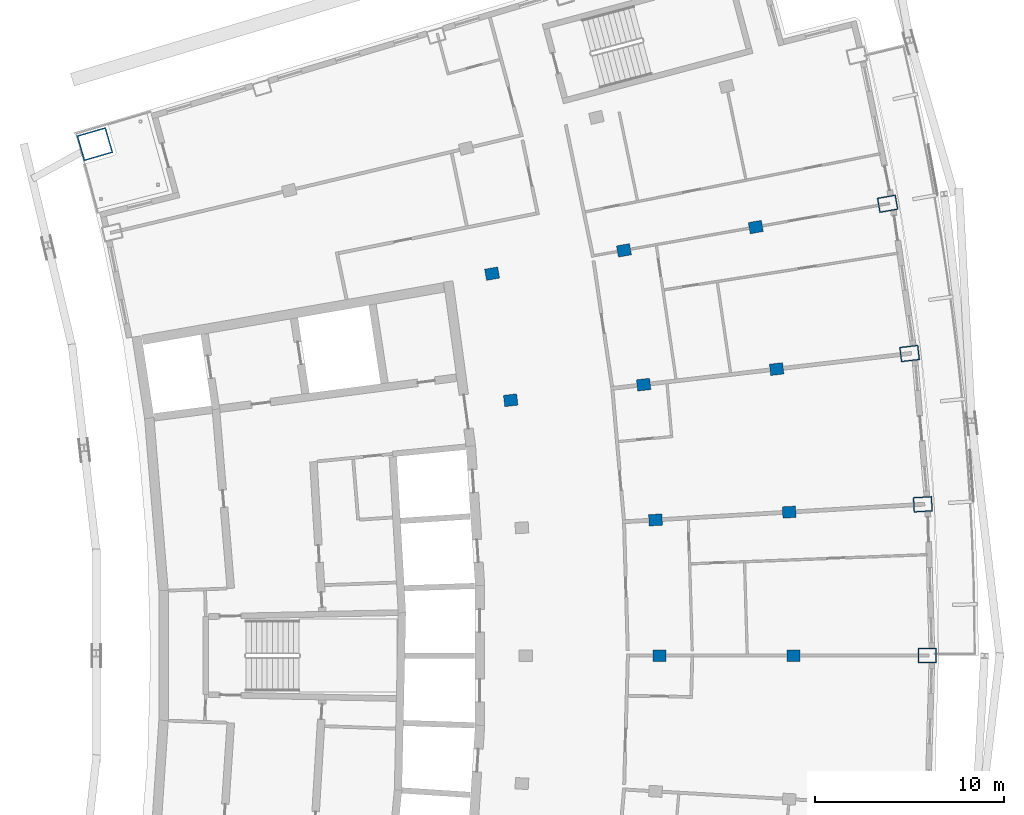
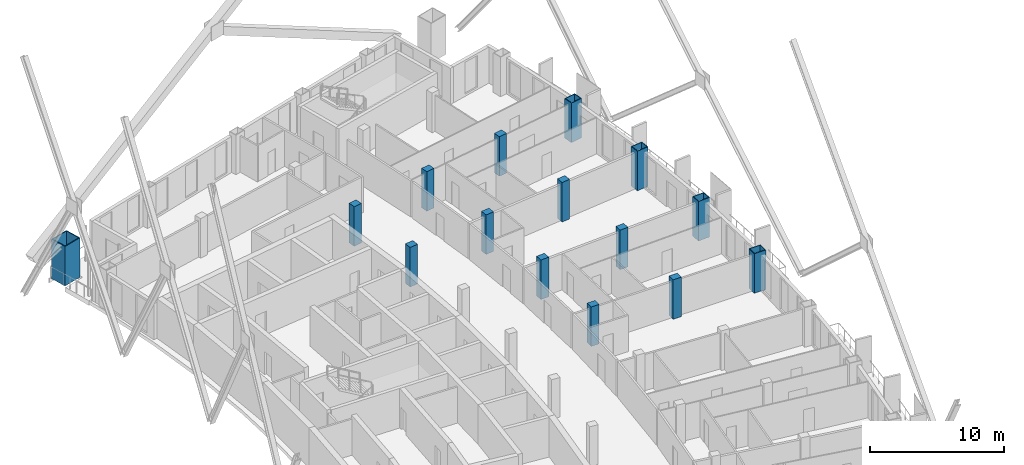
# One storey, part 4 of 16: 15 columns.
"""IFC4 building model written with IfcOpenShell, lengths in metres."""

from ifc_helpers import new_model, si_unit, direction, frame, origin, origin_2d, place, context, subcontext, project, spatial, rectangle, hollow_rectangle, extrude, material, material_profile, profile_set, type_object, element, save


model = new_model("IFC4")

# Units and contexts
model_context = context("Model", 3, precision=1e-05, world=origin(), true_north=direction((0.0, 1.0)))
body_context = subcontext(model_context, "Body", "Model", "MODEL_VIEW")
ifc_project = project(units=[si_unit("LENGTHUNIT", "METRE"), si_unit("AREAUNIT", "SQUARE_METRE"), si_unit("VOLUMEUNIT", "CUBIC_METRE"), si_unit("PLANEANGLEUNIT", "RADIAN"), si_unit("MASSUNIT", "GRAM", prefix="KILO")], contexts=[model_context])

# Site, building, storey
site_placement = place(None, origin())
site = spatial("IfcSite", under=ifc_project, at=site_placement, CompositionType="ELEMENT")
building_placement = place(site_placement, origin())
building = spatial("IfcBuilding", under=site, at=building_placement, Name="Alderwake Tower", CompositionType="ELEMENT")
storey_placement = place(building_placement, frame((0.0, 0.0, 245.60009765625)))
storey = spatial("IfcBuildingStorey", under=building, at=storey_placement, Name="L60", CompositionType="ELEMENT", Elevation=245.60009765625)

# Columns
ifc_material_1 = material(Name="Concrete C70/85", Category="concrete")
ifc_material_profile_1 = material_profile(ifc_material_1, rectangle(XDim=0.60009765625, YDim=0.699951171875, at=origin_2d()), Name="RC 700X600")
ifc_profile_set_1 = profile_set([ifc_material_profile_1], Name="Concrete C70/85")
column_type_1 = type_object("IfcColumnType", Name="Interior column Z5", PredefinedType="COLUMN", material=ifc_profile_set_1)
for number, where, z_axis, x_axis, name in (
    (1, (42.86669921875, 61.0, 0.0), (0.0, 0.0, 1.0), (0.0, 1.0, 0.0), "Column R07-C3"),
    (2, (49.933349609375, 61.0, 0.0), (0.0, 0.0, 1.0), (0.0, 1.0, 0.0), "Column R07-C4"),
    (3, (42.65771484375, 68.1630859375, 0.0), (0.0, 0.0, 1.0), (-0.058301061284, 0.998299046505, 0.0), "Column R08-C3"),
    (4, (49.71240234375, 68.5751953125, 0.0), (0.0, 0.0, 1.0), (-0.058299318924, 0.998299148258, 0.0), "Column R08-C4"),
    (5, (35.0126953125, 74.4794921875, 0.0), (0.0, 0.0, 1.0), (-0.116402054316, 0.993202175668, 0.0), "Column R09-C2"),
    (6, (42.031494140625, 75.302001953125, 0.0), (0.0, 0.0, 1.0), (-0.116402054316, 0.993202175668, 0.0), "Column R09-C3"),
    (7, (49.050048828125, 76.12451171875, 0.0), (0.0, 0.0, 1.0), (-0.116402054316, 0.993202175668, 0.0), "Column R09-C4"),
    (8, (34.03125, 81.16162109375, 0.0), (0.0, 0.0, 1.0), (-0.174108800747, 0.984726421654, 0.0), "Column R10-C2"),
    (9, (40.989990234375, 82.39208984375, 0.0), (0.0, 0.0, 1.0), (-0.174108800747, 0.984726421654, 0.0), "Column R10-C3"),
    (10, (47.94873046875, 83.622314453125, 0.0), (0.0, 0.0, 1.0), (-0.174107082075, 0.984726725529, 0.0), "Column R10-C4"),
):
    element("IfcColumn", number, at=place(storey_placement, frame(where, z_axis=z_axis, x_axis=x_axis)), inside=storey, type_object=column_type_1, Name=name, PredefinedType="COLUMN", context=body_context, shape_type="SweptSolid", body=[
        extrude(rectangle(XDim=0.60009765625, YDim=0.699951171875, at=origin_2d()), origin(), (0.0, 0.0, 1.0), 3.599853515625),
    ])
ifc_material_2 = material(Name="Steel ASTM A572 Grade 50 concrete filled C70/85", Category="concrete")
ifc_material_profile_2 = material_profile(ifc_material_2, hollow_rectangle(XDim=1.39990234375, YDim=1.60009765625, WallThickness=0.070068359375, at=origin_2d()), Name="BOX 1600X1400X70")
ifc_profile_set_2 = profile_set([ifc_material_profile_2], Name="Steel ASTM A572 Grade 50 concrete filled C70/85")
column_type_2 = type_object("IfcColumnType", Name="Mega column Z5", PredefinedType="COLUMN", material=ifc_profile_set_2)
column_placement = place(storey_placement, frame((13.06298828125, 87.99755859375, 0.0), z_axis=(0.0, 0.0, 1.0), x_axis=(-0.278612301868, 0.960403657452, 0.0)))
element("IfcColumn", 11, at=column_placement, inside=storey, type_object=column_type_2, Name="Column R12-C0", PredefinedType="COLUMN", context=body_context, shape_type="SweptSolid", body=[
    extrude(hollow_rectangle(XDim=1.39990234375, YDim=1.60009765625, WallThickness=0.070068359375, at=origin_2d()), origin(), (0.0, 0.0, 1.0), 3.599853515625),
])
ifc_material_3 = material(Name="Steel ASTM A572 Grade 50 concrete filled C70/85", Category="concrete")
ifc_material_profile_3 = material_profile(ifc_material_3, hollow_rectangle(XDim=0.800048828125, YDim=1.0, WallThickness=0.054931640625, at=origin_2d()), Name="BOX 1000X800X55")
ifc_profile_set_3 = profile_set([ifc_material_profile_3], Name="Steel ASTM A572 Grade 50 concrete filled C70/85")
column_type_3 = type_object("IfcColumnType", Name="Perimeter column Z5", PredefinedType="COLUMN", material=ifc_profile_set_3)
for number, where, z_axis, x_axis, name in (
    (12, (57.0, 61.0, 0.0), (0.0, 0.0, 1.0), (0.0, 1.0, 0.0), "Column R07-C5"),
    (13, (56.76708984375, 68.987060546875, 0.0), (0.0, 0.0, 1.0), (-0.058299318924, 0.998299148258, 0.0), "Column R08-C5"),
    (14, (56.068603515625, 76.947021484375, 0.0), (0.0, 0.0, 1.0), (-0.116402054316, 0.993202175668, 0.0), "Column R09-C5"),
    (15, (54.907470703125, 84.852783203125, 0.0), (0.0, 0.0, 1.0), (-0.174108800747, 0.984726421654, 0.0), "Column R10-C5"),
):
    element("IfcColumn", number, at=place(storey_placement, frame(where, z_axis=z_axis, x_axis=x_axis)), inside=storey, type_object=column_type_3, Name=name, PredefinedType="COLUMN", context=body_context, shape_type="SweptSolid", body=[
        extrude(hollow_rectangle(XDim=0.800048828125, YDim=1.0, WallThickness=0.054931640625, at=origin_2d()), origin(), (0.0, 0.0, 1.0), 3.599853515625),
    ])

save(model, "model.ifc")
